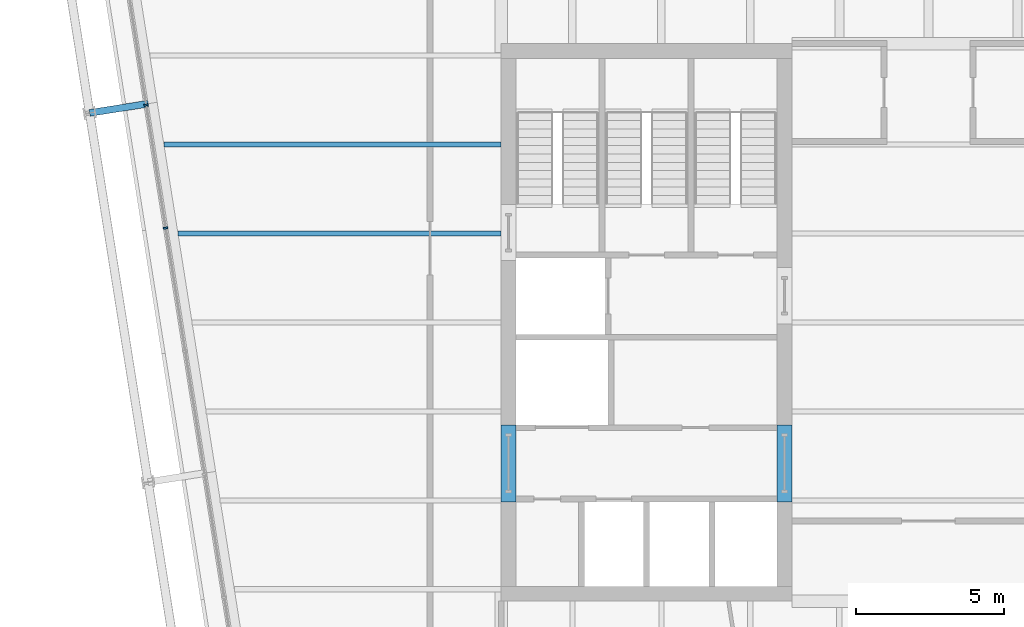
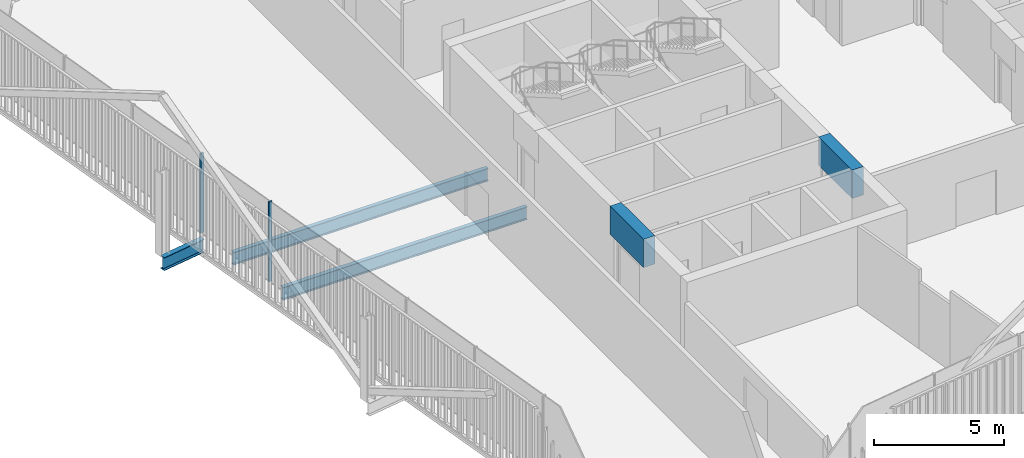
# One storey, part 7 of 21: 5 beams, 2 members, 1 element without a shape of its own.
"""IFC4 building model written with IfcOpenShell, lengths in metres."""

from ifc_helpers import new_model, si_unit, direction, frame, origin, origin_2d, place, context, subcontext, project, spatial, rectangle, i_section, extrude, material, layer, layer_set, material_profile, profile_set, type_object, element, aggregate, save


model = new_model("IFC4")

# Units and contexts
model_context = context("Model", 3, precision=1e-05, world=origin(), true_north=direction((0.0, 1.0)))
body_context = subcontext(model_context, "Body", "Model", "MODEL_VIEW")
ifc_project = project(units=[si_unit("LENGTHUNIT", "METRE"), si_unit("AREAUNIT", "SQUARE_METRE"), si_unit("VOLUMEUNIT", "CUBIC_METRE"), si_unit("PLANEANGLEUNIT", "RADIAN"), si_unit("MASSUNIT", "GRAM", prefix="KILO")], contexts=[model_context])

# Site, building, storey
site_placement = place(None, origin())
site = spatial("IfcSite", under=ifc_project, at=site_placement, CompositionType="ELEMENT")
building_placement = place(site_placement, origin())
building = spatial("IfcBuilding", under=site, at=building_placement, Name="Millrace Tower", CompositionType="ELEMENT")
storey_placement = place(building_placement, frame((0.0, 0.0, 228.10009765625)))
storey = spatial("IfcBuildingStorey", under=building, at=storey_placement, Name="L52", CompositionType="ELEMENT", Elevation=228.10009765625)

# Curtain wall, members
ifc_material_1 = material(Name="Aluminium and glass", Category="aluminium")
ifc_layer = layer(ifc_material_1, 0.14990234375)
ifc_layer_set = layer_set([ifc_layer], Name="Aluminium and glass")
curtain_wall_type = type_object("IfcCurtainWallType", Name="CW-1 office vision curtain wall", PredefinedType="NOTDEFINED", material=ifc_layer_set)
curtain_wall_placement = place(storey_placement, origin())
curtain_wall = element("IfcCurtainWall", 1, at=curtain_wall_placement, inside=storey, type_object=curtain_wall_type, Name="Curtain wall D-F08 L52", PredefinedType="NOTDEFINED")
ifc_material_2 = material(Name="Aluminium", Category="aluminium")
ifc_material_profile_1 = material_profile(ifc_material_2, rectangle(XDim=0.06494140625, YDim=0.14990234375, at=origin_2d()))
ifc_profile_set_1 = profile_set([ifc_material_profile_1], Name="Aluminium")
member_type = type_object("IfcMemberType", Name="CW-1 office vision curtain wall mullion", PredefinedType="MULLION", material=ifc_profile_set_1)
member_1_placement = place(storey_placement, frame((-26.371337890625, 7.33056640625, 0.139892578125), z_axis=(0.0, 0.0, 1.0), x_axis=(0.156434471884, -0.987688339511, 0.0)))
member_1 = element("IfcMember", 2, at=member_1_placement, type_object=member_type, Name="CW1 mullion D-F08.4", PredefinedType="MULLION", context=body_context, shape_type="SweptSolid", body=[
    extrude(rectangle(XDim=0.06494140625, YDim=0.14990234375, at=origin_2d()), origin(), (0.0, 0.0, 1.0), 3.760009765625),
])
member_2_placement = place(storey_placement, frame((-25.71435546875, 3.182373046875, 0.139892578125), z_axis=(0.0, 0.0, 1.0), x_axis=(0.156434471884, -0.987688339511, 0.0)))
member_2 = element("IfcMember", 3, at=member_2_placement, type_object=member_type, Name="CW1 mullion D-F08.5", PredefinedType="MULLION", context=body_context, shape_type="SweptSolid", body=[
    extrude(rectangle(XDim=0.06494140625, YDim=0.14990234375, at=origin_2d()), origin(), (0.0, 0.0, 1.0), 3.760009765625),
])
aggregate(curtain_wall, [member_1, member_2])

# Beams
ifc_material_3 = material(Name="Concrete C60", Category="concrete")
ifc_material_profile_2 = material_profile(ifc_material_3, rectangle(XDim=0.5, YDim=1.340087890625, at=origin_2d()))
ifc_profile_set_2 = profile_set([ifc_material_profile_2], Name="Concrete C60")
beam_type_1 = type_object("IfcBeamType", Name="Coupling beam 500 x 1340 Concrete C60, 2000 opening", PredefinedType="BEAM", material=ifc_profile_set_2)
for number, where, z_axis, x_axis, name in (
    (4, (-14.14990234375, -6.050048828125, 3.06982421875), (0.0, 1.0, 0.0), (-1.0, 0.0, 0.0), "Coupling beam W L52"),
    (5, (-4.85009765625, -6.050048828125, 3.06982421875), (0.0, 1.0, 0.0), (-1.0, 0.0, 0.0), "Coupling beam W L52"),
):
    element("IfcBeam", number, at=place(storey_placement, frame(where, z_axis=z_axis, x_axis=x_axis)), inside=storey, type_object=beam_type_1, Name=name, PredefinedType="BEAM", context=body_context, shape_type="SweptSolid", body=[
        extrude(rectangle(XDim=0.5, YDim=1.340087890625, at=origin_2d()), origin(), (0.0, 0.0, 1.0), 2.60009765625),
    ])
ifc_material_4 = material(Name="Steel ASTM A992 Grade 50", Category="steel")
ifc_material_profile_3 = material_profile(ifc_material_4, i_section(OverallWidth=0.1787109375, OverallDepth=0.60205078125, WebThickness=0.010986328125, FlangeThickness=0.014892578125, FilletRadius=0.0126953125, at=origin_2d()))
ifc_profile_set_3 = profile_set([ifc_material_profile_3], Name="Steel ASTM A992 Grade 50")
beam_type_2 = type_object("IfcBeamType", Name="Floor beam W24x62", PredefinedType="JOIST", material=ifc_profile_set_3)
beam_1_placement = place(storey_placement, frame((-25.29833984375, 3.0, -0.461181640625), z_axis=(1.0, 0.0, 0.0), x_axis=(0.0, 1.0, 0.0)))
element("IfcBeam", 6, at=beam_1_placement, inside=storey, type_object=beam_type_2, Name="BM-D-L52-S1-S018", PredefinedType="JOIST", context=body_context, shape_type="SweptSolid", body=[
    extrude(i_section(OverallWidth=0.1787109375, OverallDepth=0.60205078125, WebThickness=0.010986328125, FlangeThickness=0.014892578125, FilletRadius=0.0126953125, at=origin_2d()), origin(), (0.0, 0.0, 1.0), 10.8984375),
])
beam_2_placement = place(storey_placement, frame((-25.7734375, 6.0, -0.461181640625), z_axis=(1.0, 0.0, 0.0), x_axis=(0.0, 1.0, 0.0)))
element("IfcBeam", 7, at=beam_2_placement, inside=storey, type_object=beam_type_2, Name="BM-D-L52-S1-S021", PredefinedType="JOIST", context=body_context, shape_type="SweptSolid", body=[
    extrude(i_section(OverallWidth=0.1787109375, OverallDepth=0.60205078125, WebThickness=0.010986328125, FlangeThickness=0.014892578125, FilletRadius=0.0126953125, at=origin_2d()), origin(), (0.0, 0.0, 1.0), 11.37353515625),
])
ifc_material_5 = material(Name="Steel ASTM A992 Grade 50", Category="steel")
ifc_material_profile_4 = material_profile(ifc_material_5, i_section(OverallWidth=0.23046875, OverallDepth=0.6171875, WebThickness=0.01318359375, FlangeThickness=0.022216796875, FilletRadius=0.012939453125, at=origin_2d()))
ifc_profile_set_4 = profile_set([ifc_material_profile_4], Name="Steel ASTM A992 Grade 50")
beam_type_3 = type_object("IfcBeamType", Name="Link beam W24x94", PredefinedType="BEAM", material=ifc_profile_set_4)
beam_3_placement = place(storey_placement, frame((-26.302490234375, 7.37451171875, -0.46875), z_axis=(-0.987678691416, -0.156495375404, 0.0), x_axis=(0.156495375404, -0.987678691416, 0.0)))
element("IfcBeam", 8, at=beam_3_placement, inside=storey, type_object=beam_type_3, Name="LNK-D-L52-S1-03", PredefinedType="BEAM", context=body_context, shape_type="SweptSolid", body=[
    extrude(i_section(OverallWidth=0.23046875, OverallDepth=0.6171875, WebThickness=0.01318359375, FlangeThickness=0.022216796875, FilletRadius=0.012939453125, at=origin_2d()), origin(), (0.0, 0.0, 1.0), 2.0),
])

save(model, "model.ifc")
